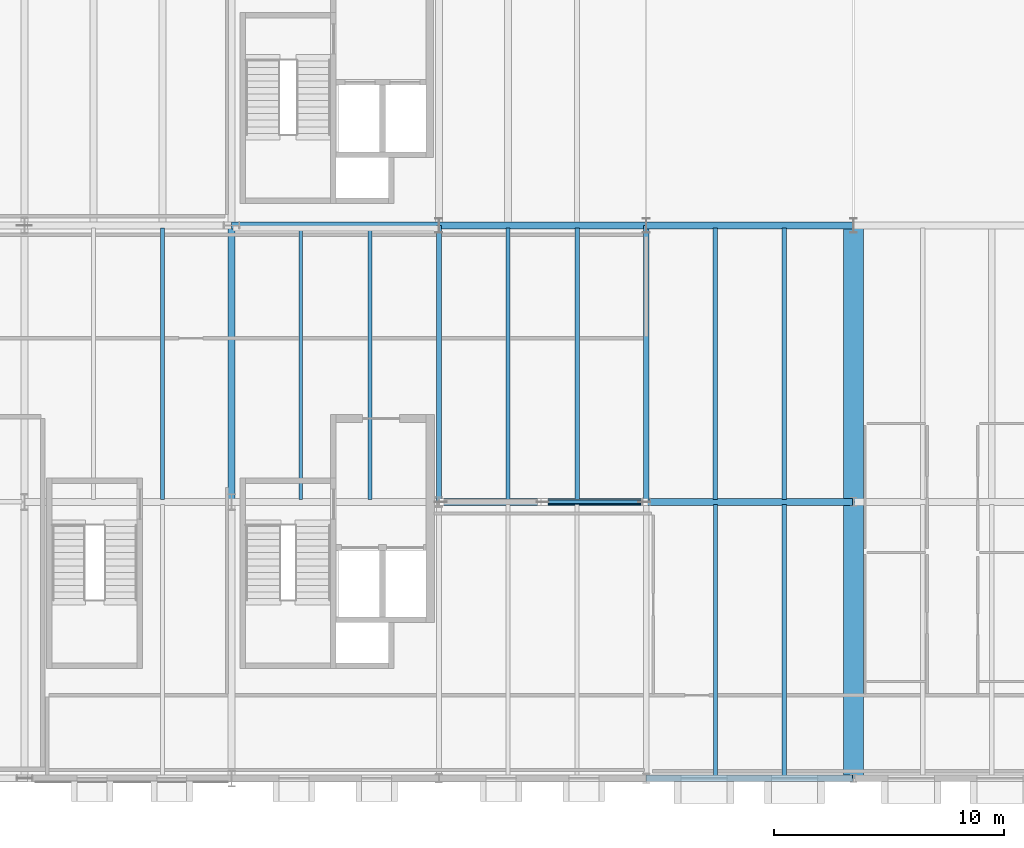
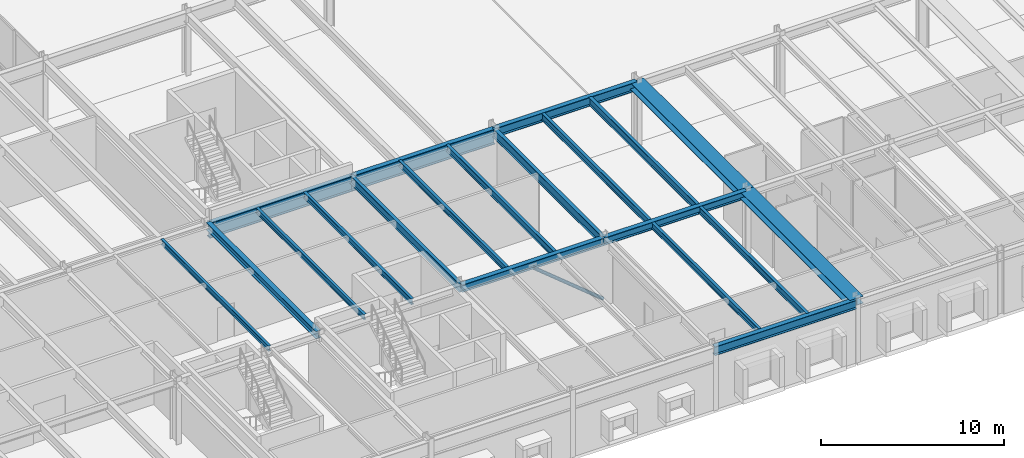
# One storey, part 19 of 115: 20 beams, 1 member.
"""IFC4 building model written with IfcOpenShell, lengths in metres."""

from ifc_helpers import new_model, si_unit, direction, frame, origin, origin_2d, place, context, subcontext, project, spatial, hollow_circle, i_section, extrude, material, material_profile, profile_set, type_object, element, save


model = new_model("IFC4")

# Units and contexts
model_context = context("Model", 3, precision=1e-05, world=origin(), true_north=direction((0.0, 1.0)))
body_context = subcontext(model_context, "Body", "Model", "MODEL_VIEW")
ifc_project = project(units=[si_unit("LENGTHUNIT", "METRE"), si_unit("AREAUNIT", "SQUARE_METRE"), si_unit("VOLUMEUNIT", "CUBIC_METRE"), si_unit("PLANEANGLEUNIT", "RADIAN"), si_unit("MASSUNIT", "GRAM", prefix="KILO")], contexts=[model_context])

# Site, building, storey
site_placement = place(None, origin())
site = spatial("IfcSite", under=ifc_project, at=site_placement, CompositionType="ELEMENT")
building_placement = place(site_placement, origin())
building = spatial("IfcBuilding", under=site, at=building_placement, Name="Montelvaro Courts of Justice", CompositionType="ELEMENT")
storey_placement = place(building_placement, frame((0.0, 0.0, 9.89990234375)))
storey = spatial("IfcBuildingStorey", under=building, at=storey_placement, Name="L02", CompositionType="ELEMENT", Elevation=9.89990234375)

# Beams
ifc_material = material(Name="Steel S355", Category="steel")
ifc_material_profile_1 = material_profile(ifc_material, i_section(OverallWidth=0.300048828125, OverallDepth=0.489990234375, WebThickness=0.011962890625, FlangeThickness=0.02294921875, at=origin_2d()), Name="HEA 500")
ifc_profile_set_1 = profile_set([ifc_material_profile_1], Name="Steel S355")
beam_type_1 = type_object("IfcBeamType", Name="Beam_HEA500", PredefinedType="USERDEFINED", material=ifc_profile_set_1)
beam_1_placement = place(storey_placement, frame((54.0, 12.0, 3.93505859375), z_axis=(0.0, 1.0, 0.0), x_axis=(-1.0, 0.0, 0.0)))
element("IfcBeam", 1, at=beam_1_placement, inside=storey, type_object=beam_type_1, Name="Beam B-19 L02", ObjectType="GIRDER", PredefinedType="USERDEFINED", context=body_context, shape_type="SweptSolid", body=[
    extrude(i_section(OverallWidth=0.300048828125, OverallDepth=0.489990234375, WebThickness=0.011962890625, FlangeThickness=0.02294921875, at=origin_2d()), origin(), (0.0, 0.0, 1.0), 12.0),
])
ifc_material_profile_2 = material_profile(ifc_material, i_section(OverallWidth=0.300048828125, OverallDepth=0.590087890625, WebThickness=0.012939453125, FlangeThickness=0.02490234375, at=origin_2d()), Name="HEA 600")
ifc_profile_set_2 = profile_set([ifc_material_profile_2], Name="Steel S355")
beam_type_2 = type_object("IfcBeamType", Name="Beam_HEA600", PredefinedType="USERDEFINED", material=ifc_profile_set_2)
beam_2_placement = place(storey_placement, frame((72.0, 0.0, 3.885009765625), z_axis=(1.0, 0.0, 0.0), x_axis=(0.0, 1.0, 0.0)))
element("IfcBeam", 2, at=beam_2_placement, inside=storey, type_object=beam_type_2, Name="Beam B-21 L02", ObjectType="GIRDER", PredefinedType="USERDEFINED", context=body_context, shape_type="SweptSolid", body=[
    extrude(i_section(OverallWidth=0.300048828125, OverallDepth=0.590087890625, WebThickness=0.012939453125, FlangeThickness=0.02490234375, at=origin_2d()), origin(), (0.0, 0.0, 1.0), 8.949951171875),
])
ifc_material_profile_3 = material_profile(ifc_material, i_section(OverallWidth=0.300048828125, OverallDepth=0.5, WebThickness=0.014404296875, FlangeThickness=0.028076171875, at=origin_2d()), Name="HEB 500")
ifc_profile_set_3 = profile_set([ifc_material_profile_3], Name="Steel S355")
beam_type_3 = type_object("IfcBeamType", Name="Beam_HEB500", PredefinedType="USERDEFINED", material=ifc_profile_set_3)
beam_3_placement = place(storey_placement, frame((63.0, 12.0, 3.93017578125), z_axis=(1.0, 0.0, 0.0), x_axis=(0.0, 1.0, 0.0)))
element("IfcBeam", 3, at=beam_3_placement, inside=storey, type_object=beam_type_3, Name="Beam B-25 L02", ObjectType="GIRDER", PredefinedType="USERDEFINED", context=body_context, shape_type="SweptSolid", body=[
    extrude(i_section(OverallWidth=0.300048828125, OverallDepth=0.5, WebThickness=0.014404296875, FlangeThickness=0.028076171875, at=origin_2d()), origin(), (0.0, 0.0, 1.0), 9.0),
])
beam_4_placement = place(storey_placement, frame((72.0, 12.0, 3.93017578125), z_axis=(1.0, 0.0, 0.0), x_axis=(0.0, 1.0, 0.0)))
element("IfcBeam", 4, at=beam_4_placement, inside=storey, type_object=beam_type_3, Name="Beam B-25 L02", ObjectType="GIRDER", PredefinedType="USERDEFINED", context=body_context, shape_type="SweptSolid", body=[
    extrude(i_section(OverallWidth=0.300048828125, OverallDepth=0.5, WebThickness=0.014404296875, FlangeThickness=0.028076171875, at=origin_2d()), origin(), (0.0, 0.0, 1.0), 8.949951171875),
])
ifc_material_profile_4 = material_profile(ifc_material, i_section(OverallWidth=0.300048828125, OverallDepth=0.60009765625, WebThickness=0.015380859375, FlangeThickness=0.030029296875, at=origin_2d()), Name="HEB 600")
ifc_profile_set_4 = profile_set([ifc_material_profile_4], Name="Steel S355")
beam_type_4 = type_object("IfcBeamType", Name="Beam_HEB600", PredefinedType="USERDEFINED", material=ifc_profile_set_4)
beam_5_placement = place(storey_placement, frame((72.0, 24.0, 3.880126953125), z_axis=(1.0, 0.0, 0.0), x_axis=(0.0, 1.0, 0.0)))
element("IfcBeam", 5, at=beam_5_placement, inside=storey, type_object=beam_type_4, Name="Beam B-26 L02", ObjectType="GIRDER", PredefinedType="USERDEFINED", context=body_context, shape_type="SweptSolid", body=[
    extrude(i_section(OverallWidth=0.300048828125, OverallDepth=0.60009765625, WebThickness=0.015380859375, FlangeThickness=0.030029296875, at=origin_2d()), origin(), (0.0, 0.0, 1.0), 8.949951171875),
])
ifc_material_profile_5 = material_profile(ifc_material, i_section(OverallWidth=0.302001953125, OverallDepth=1.008056640625, WebThickness=0.02099609375, FlangeThickness=0.0400390625, at=origin_2d()), Name="HEM 1000")
ifc_profile_set_5 = profile_set([ifc_material_profile_5], Name="Steel S355")
beam_type_5 = type_object("IfcBeamType", Name="Beam_HEM1000", PredefinedType="USERDEFINED", material=ifc_profile_set_5)
for number, where, z_axis, x_axis, name in (
    (6, (72.0, 24.0, 3.656005859375), (-1.0, 0.0, 0.0), (0.0, -1.0, 0.0), "Pratt Cantilever Truss Chord CTR-BAR1-N-L03-BS1"),
    (7, (63.0, 24.0, 3.656005859375), (-1.0, 0.0, 0.0), (0.0, -1.0, 0.0), "Pratt Cantilever Truss Chord CTR-BAR1-N-L03-BS2"),
):
    element("IfcBeam", number, at=place(storey_placement, frame(where, z_axis=z_axis, x_axis=x_axis)), inside=storey, type_object=beam_type_5, Name=name, ObjectType="GIRDER", PredefinedType="USERDEFINED", context=body_context, shape_type="SweptSolid", body=[
        extrude(i_section(OverallWidth=0.302001953125, OverallDepth=1.008056640625, WebThickness=0.02099609375, FlangeThickness=0.0400390625, at=origin_2d()), origin(), (0.0, 0.0, 1.0), 9.0),
    ])
ifc_material_profile_6 = material_profile(ifc_material, i_section(OverallWidth=0.169921875, OverallDepth=0.360107421875, WebThickness=0.008056640625, FlangeThickness=0.0126953125, at=origin_2d()), Name="IPE 360")
ifc_profile_set_6 = profile_set([ifc_material_profile_6], Name="Steel S355")
beam_type_6 = type_object("IfcBeamType", Name="Beam_IPE360", PredefinedType="BEAM", material=ifc_profile_set_6)
for number, where, z_axis, x_axis, name in (
    (8, (51.0, 12.110107421875, 4.0), (0.0, 1.0, 0.0), (-1.0, 0.0, 0.0), "Beam B-07 L02"),
    (9, (57.0, 12.110107421875, 4.0), (0.0, 1.0, 0.0), (-1.0, 0.0, 0.0), "Beam B-07 L02"),
):
    element("IfcBeam", number, at=place(storey_placement, frame(where, z_axis=z_axis, x_axis=x_axis)), inside=storey, type_object=beam_type_6, Name=name, PredefinedType="BEAM", context=body_context, shape_type="SweptSolid", body=[
        extrude(i_section(OverallWidth=0.169921875, OverallDepth=0.360107421875, WebThickness=0.008056640625, FlangeThickness=0.0126953125, at=origin_2d()), origin(), (0.0, 0.0, 1.0), 11.77978515625),
    ])
ifc_material_profile_7 = material_profile(ifc_material, i_section(OverallWidth=0.179931640625, OverallDepth=0.39990234375, WebThickness=0.008544921875, FlangeThickness=0.013427734375, at=origin_2d()), Name="IPE 400")
ifc_profile_set_7 = profile_set([ifc_material_profile_7], Name="Steel S355")
beam_type_7 = type_object("IfcBeamType", Name="Beam_IPE400", PredefinedType="BEAM", material=ifc_profile_set_7)
for number, where, z_axis, x_axis, name in (
    (10, (60.0, 12.110107421875, 3.97998046875), (0.0, 1.0, 0.0), (-1.0, 0.0, 0.0), "Beam B-08 L02"),
    (11, (66.0, 12.110107421875, 3.97998046875), (0.0, 1.0, 0.0), (-1.0, 0.0, 0.0), "Beam B-08 L02"),
    (12, (75.0, 0.110107421875, 3.97998046875), (0.0, 1.0, 0.0), (-1.0, 0.0, 0.0), "Beam B-08 L02"),
):
    element("IfcBeam", number, at=place(storey_placement, frame(where, z_axis=z_axis, x_axis=x_axis)), inside=storey, type_object=beam_type_7, Name=name, PredefinedType="BEAM", context=body_context, shape_type="SweptSolid", body=[
        extrude(i_section(OverallWidth=0.179931640625, OverallDepth=0.39990234375, WebThickness=0.008544921875, FlangeThickness=0.013427734375, at=origin_2d()), origin(), (0.0, 0.0, 1.0), 11.77978515625),
    ])
ifc_material_profile_8 = material_profile(ifc_material, i_section(OverallWidth=0.18994140625, OverallDepth=0.449951171875, WebThickness=0.009521484375, FlangeThickness=0.0146484375, at=origin_2d()), Name="IPE 450")
ifc_profile_set_8 = profile_set([ifc_material_profile_8], Name="Steel S355")
beam_type_8 = type_object("IfcBeamType", Name="Beam_IPE450", PredefinedType="BEAM", material=ifc_profile_set_8)
for number, where, z_axis, x_axis, name in (
    (13, (69.0, 12.110107421875, 3.955078125), (0.0, 1.0, 0.0), (-1.0, 0.0, 0.0), "Beam B-09 L02"),
    (14, (78.0, 0.110107421875, 3.955078125), (0.0, 1.0, 0.0), (-1.0, 0.0, 0.0), "Beam B-09 L02"),
    (15, (75.0, 12.110107421875, 3.955078125), (0.0, 1.0, 0.0), (-1.0, 0.0, 0.0), "Beam B-09 L02"),
):
    element("IfcBeam", number, at=place(storey_placement, frame(where, z_axis=z_axis, x_axis=x_axis)), inside=storey, type_object=beam_type_8, Name=name, PredefinedType="BEAM", context=body_context, shape_type="SweptSolid", body=[
        extrude(i_section(OverallWidth=0.18994140625, OverallDepth=0.449951171875, WebThickness=0.009521484375, FlangeThickness=0.0146484375, at=origin_2d()), origin(), (0.0, 0.0, 1.0), 11.77978515625),
    ])
ifc_material_profile_9 = material_profile(ifc_material, i_section(OverallWidth=0.199951171875, OverallDepth=0.5, WebThickness=0.01025390625, FlangeThickness=0.01611328125, at=origin_2d()), Name="IPE 500")
ifc_profile_set_9 = profile_set([ifc_material_profile_9], Name="Steel S355")
beam_type_9 = type_object("IfcBeamType", Name="Beam_IPE500", PredefinedType="BEAM", material=ifc_profile_set_9)
beam_6_placement = place(storey_placement, frame((78.0, 12.110107421875, 3.93017578125), z_axis=(0.0, 1.0, 0.0), x_axis=(-1.0, 0.0, 0.0)))
element("IfcBeam", 16, at=beam_6_placement, inside=storey, type_object=beam_type_9, Name="Beam B-10 L02", PredefinedType="BEAM", context=body_context, shape_type="SweptSolid", body=[
    extrude(i_section(OverallWidth=0.199951171875, OverallDepth=0.5, WebThickness=0.01025390625, FlangeThickness=0.01611328125, at=origin_2d()), origin(), (0.0, 0.0, 1.0), 11.77978515625),
])
ifc_material_profile_10 = material_profile(ifc_material, i_section(OverallWidth=0.2099609375, OverallDepth=0.550048828125, WebThickness=0.010986328125, FlangeThickness=0.01708984375, at=origin_2d()), Name="IPE 550")
ifc_profile_set_10 = profile_set([ifc_material_profile_10], Name="Steel S355")
beam_type_10 = type_object("IfcBeamType", Name="Beam_IPE550", PredefinedType="BEAM", material=ifc_profile_set_10)
beam_7_placement = place(storey_placement, frame((63.0, 12.0, 3.905029296875), z_axis=(0.0, 1.0, 0.0), x_axis=(-1.0, 0.0, 0.0)))
element("IfcBeam", 17, at=beam_7_placement, inside=storey, type_object=beam_type_10, Name="Beam B-11 L02", PredefinedType="BEAM", context=body_context, shape_type="SweptSolid", body=[
    extrude(i_section(OverallWidth=0.2099609375, OverallDepth=0.550048828125, WebThickness=0.010986328125, FlangeThickness=0.01708984375, at=origin_2d()), origin(), (0.0, 0.0, 1.0), 12.0),
])
ifc_material_profile_11 = material_profile(ifc_material, i_section(OverallWidth=0.219970703125, OverallDepth=0.60009765625, WebThickness=0.011962890625, FlangeThickness=0.01904296875, at=origin_2d()), Name="IPE 600")
ifc_profile_set_11 = profile_set([ifc_material_profile_11], Name="Steel S355")
beam_type_11 = type_object("IfcBeamType", Name="Beam_IPE600", PredefinedType="USERDEFINED", material=ifc_profile_set_11)
beam_8_placement = place(storey_placement, frame((72.0, 12.0, 3.880126953125), z_axis=(0.0, 1.0, 0.0), x_axis=(-1.0, 0.0, 0.0)))
element("IfcBeam", 18, at=beam_8_placement, inside=storey, type_object=beam_type_11, Name="Beam B-12 L02", ObjectType="GIRDER", PredefinedType="USERDEFINED", context=body_context, shape_type="SweptSolid", body=[
    extrude(i_section(OverallWidth=0.219970703125, OverallDepth=0.60009765625, WebThickness=0.011962890625, FlangeThickness=0.01904296875, at=origin_2d()), origin(), (0.0, 0.0, 1.0), 12.0),
])
ifc_material_profile_12 = material_profile(ifc_material, i_section(OverallWidth=0.860107421875, OverallDepth=0.47998046875, WebThickness=0.02001953125, FlangeThickness=0.031982421875, at=origin_2d()), Name="HL 480x860")
ifc_profile_set_12 = profile_set([ifc_material_profile_12], Name="Steel S355")
beam_type_12 = type_object("IfcBeamType", Name="Beam_MJSeat_860", PredefinedType="USERDEFINED", material=ifc_profile_set_12)
for number, where, z_axis, x_axis, name in (
    (19, (81.0, 0.0, 3.940185546875), (0.0, 1.0, 0.0), (-1.0, 0.0, 0.0), "Beam BC-01 L02"),
    (20, (81.0, 12.0, 3.940185546875), (0.0, 1.0, 0.0), (-1.0, 0.0, 0.0), "Beam BC-01 L02"),
):
    element("IfcBeam", number, at=place(storey_placement, frame(where, z_axis=z_axis, x_axis=x_axis)), inside=storey, type_object=beam_type_12, Name=name, ObjectType="GIRDER", PredefinedType="USERDEFINED", context=body_context, shape_type="SweptSolid", body=[
        extrude(i_section(OverallWidth=0.860107421875, OverallDepth=0.47998046875, WebThickness=0.02001953125, FlangeThickness=0.031982421875, at=origin_2d()), origin(), (0.0, 0.0, 1.0), 12.0),
    ])

# Member
ifc_material_profile_13 = material_profile(ifc_material, hollow_circle(Radius=0.109619140625, WallThickness=0.010009765625, at=origin_2d()), Name="CHS 219.1x10")
ifc_profile_set_13 = profile_set([ifc_material_profile_13], Name="Steel S355")
member_type = type_object("IfcMemberType", Name="Mem_CHS219_Brace", PredefinedType="BRACE", material=ifc_profile_set_13)
member_placement = place(storey_placement, frame((71.919921875, 12.0, 0.080078125), z_axis=(-0.77362972068, 0.0, 0.633637952841), x_axis=(0.0, -1.0, 0.0)))
element("IfcMember", 21, at=member_placement, inside=storey, type_object=member_type, Name="Lateral Braced Frame CBF1 Diagonal 2 (L02)", PredefinedType="BRACE", context=body_context, shape_type="SweptSolid", body=[
    extrude(hollow_circle(Radius=0.109619140625, WallThickness=0.010009765625, at=origin_2d()), origin(), (0.0, 0.0, 1.0), 5.713134765625),
])

save(model, "model.ifc")
